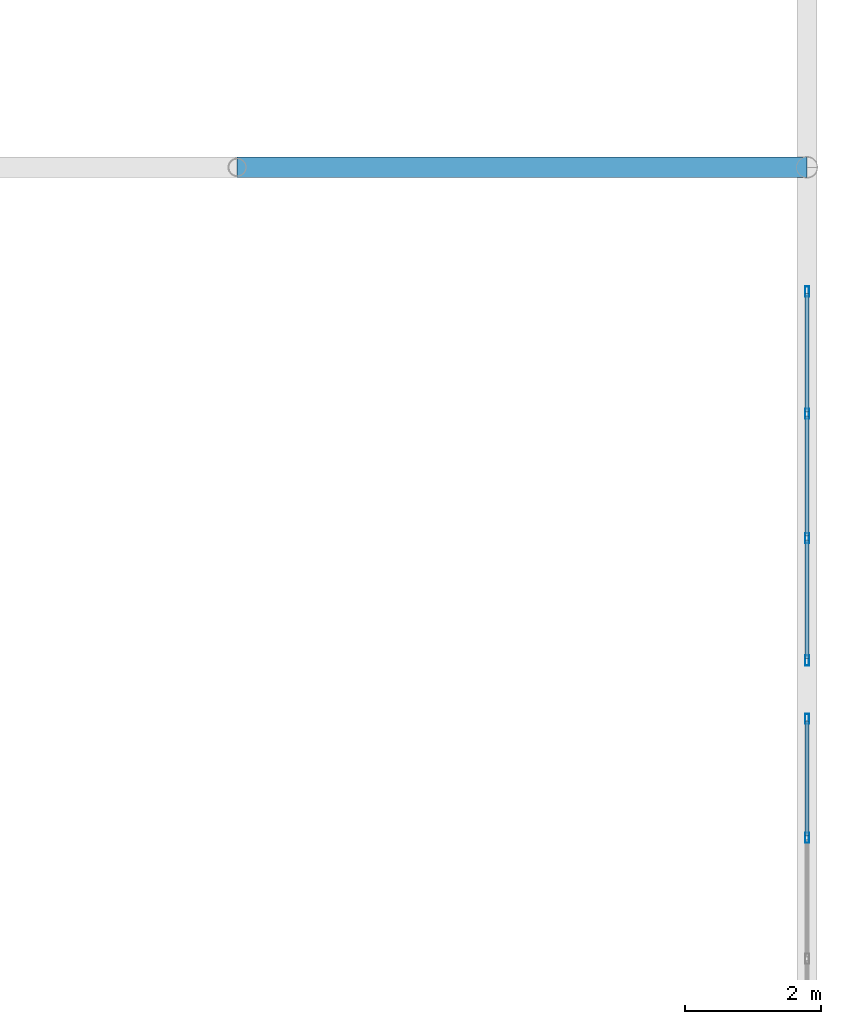
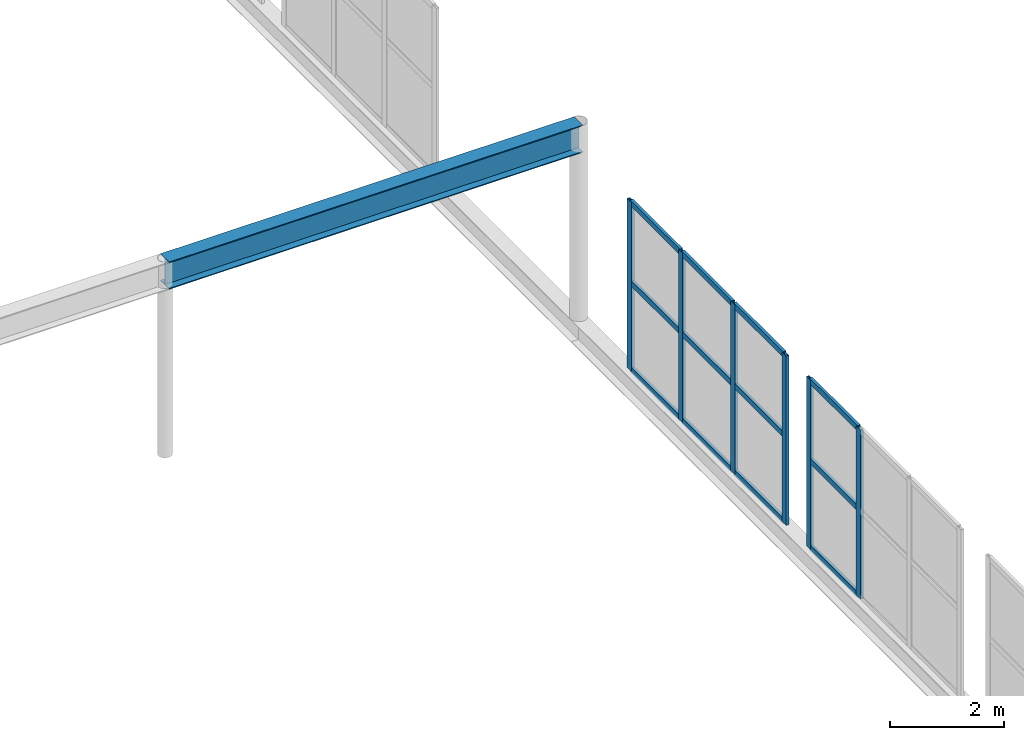
# One storey, part 156 of 218: 18 members, 1 beam, 2 elements without a shape of their own.
"""IFC4 building model written with IfcOpenShell, lengths in metres."""

from ifc_helpers import new_model, si_unit, direction, frame, origin, origin_2d, place, context, subcontext, project, spatial, hollow_rectangle, i_section, extrude, material, material_profile, profile_set, type_object, element, aggregate, save


model = new_model("IFC4")

# Units and contexts
model_context = context("Model", 3, precision=1e-05, world=origin(), true_north=direction((0.0, 1.0)))
body_context = subcontext(model_context, "Body", "Model", "MODEL_VIEW")
ifc_project = project(units=[si_unit("LENGTHUNIT", "METRE"), si_unit("AREAUNIT", "SQUARE_METRE"), si_unit("VOLUMEUNIT", "CUBIC_METRE"), si_unit("PLANEANGLEUNIT", "RADIAN"), si_unit("MASSUNIT", "GRAM", prefix="KILO")], contexts=[model_context])

# Site, building, storey
site_placement = place(None, origin())
site = spatial("IfcSite", under=ifc_project, at=site_placement, CompositionType="ELEMENT")
building_placement = place(site_placement, origin())
building = spatial("IfcBuilding", under=site, at=building_placement, Name="Kazenagashi Tramway Depot", CompositionType="ELEMENT")
storey_placement = place(building_placement, frame((0.0, 0.0, 6.0)))
storey = spatial("IfcBuildingStorey", under=building, at=storey_placement, Name="L02", CompositionType="ELEMENT", Elevation=6.0)

# Curtain wall, members
ifc_material_1 = material(Name="Anodised Aluminium and Low-E Glazing", Category="aluminium")
curtain_wall_type_1 = type_object("IfcCurtainWallType", Name="CW-06", PredefinedType="USERDEFINED", material=ifc_material_1)
curtain_wall_1_placement = place(storey_placement, origin())
curtain_wall_1 = element("IfcCurtainWall", 1, at=curtain_wall_1_placement, inside=storey, type_object=curtain_wall_type_1, Name="Industrial Glazed Screen CW-06 CW-0006", ObjectType="GLAZED SCREEN", PredefinedType="USERDEFINED")
ifc_material_2 = material(Name="Anodised Aluminium", Category="aluminium")
ifc_material_profile_1 = material_profile(ifc_material_2, hollow_rectangle(XDim=0.06, YDim=0.15, WallThickness=0.004, at=origin_2d()), Name="RHS-150x60x4")
ifc_profile_set_1 = profile_set([ifc_material_profile_1], Name="Anodised Aluminium")
member_type_1 = type_object("IfcMemberType", Name="ML-01", PredefinedType="MULLION", material=ifc_profile_set_1)
member_1_placement = place(storey_placement, frame((196.0, 90.116667, -0.02), z_axis=(0.0, 0.0, 1.0), x_axis=(-1.0, 0.0, 0.0)))
member_1 = element("IfcMember", 2, at=member_1_placement, type_object=member_type_1, Name="CW-06 mullion 3", PredefinedType="MULLION", context=body_context, shape_type="SweptSolid", body=[
    extrude(hollow_rectangle(XDim=0.06, YDim=0.15, WallThickness=0.004, at=origin_2d()), origin(), (0.0, 0.0, 1.0), 3.632),
])
member_2_placement = place(storey_placement, frame((196.0, 91.87, -0.02), z_axis=(0.0, 0.0, 1.0), x_axis=(-1.0, 0.0, 0.0)))
member_2 = element("IfcMember", 3, at=member_2_placement, type_object=member_type_1, Name="CW-06 mullion 4", PredefinedType="MULLION", context=body_context, shape_type="SweptSolid", body=[
    extrude(hollow_rectangle(XDim=0.06, YDim=0.15, WallThickness=0.004, at=origin_2d()), origin(), (0.0, 0.0, 1.0), 3.632),
])

curtain_wall_type_2 = type_object("IfcCurtainWallType", Name="CW-08", PredefinedType="USERDEFINED", material=ifc_material_1)
curtain_wall_2_placement = place(storey_placement, origin())
curtain_wall_2 = element("IfcCurtainWall", 4, at=curtain_wall_2_placement, inside=storey, type_object=curtain_wall_type_2, Name="Industrial Glazed Screen CW-08 CW-0008", ObjectType="GLAZED SCREEN", PredefinedType="USERDEFINED")
member_3_placement = place(storey_placement, frame((196.0, 92.73, -0.02), z_axis=(0.0, 0.0, 1.0), x_axis=(-1.0, 0.0, 0.0)))
member_3 = element("IfcMember", 5, at=member_3_placement, type_object=member_type_1, Name="CW-08 mullion 1", PredefinedType="MULLION", context=body_context, shape_type="SweptSolid", body=[
    extrude(hollow_rectangle(XDim=0.06, YDim=0.15, WallThickness=0.004, at=origin_2d()), origin(), (0.0, 0.0, 1.0), 3.632),
])
member_4_placement = place(storey_placement, frame((196.0, 94.533333, -0.02), z_axis=(0.0, 0.0, 1.0), x_axis=(-1.0, 0.0, 0.0)))
member_4 = element("IfcMember", 6, at=member_4_placement, type_object=member_type_1, Name="CW-08 mullion 2", PredefinedType="MULLION", context=body_context, shape_type="SweptSolid", body=[
    extrude(hollow_rectangle(XDim=0.06, YDim=0.15, WallThickness=0.004, at=origin_2d()), origin(), (0.0, 0.0, 1.0), 3.632),
])
member_5_placement = place(storey_placement, frame((196.0, 96.366667, -0.02), z_axis=(0.0, 0.0, 1.0), x_axis=(-1.0, 0.0, 0.0)))
member_5 = element("IfcMember", 7, at=member_5_placement, type_object=member_type_1, Name="CW-08 mullion 3", PredefinedType="MULLION", context=body_context, shape_type="SweptSolid", body=[
    extrude(hollow_rectangle(XDim=0.06, YDim=0.15, WallThickness=0.004, at=origin_2d()), origin(), (0.0, 0.0, 1.0), 3.632),
])
member_6_placement = place(storey_placement, frame((196.0, 98.17, -0.02), z_axis=(0.0, 0.0, 1.0), x_axis=(-1.0, 0.0, 0.0)))
member_6 = element("IfcMember", 8, at=member_6_placement, type_object=member_type_1, Name="CW-08 mullion 4", PredefinedType="MULLION", context=body_context, shape_type="SweptSolid", body=[
    extrude(hollow_rectangle(XDim=0.06, YDim=0.15, WallThickness=0.004, at=origin_2d()), origin(), (0.0, 0.0, 1.0), 3.632),
])

# Beam
ifc_material_3 = material(Name="Steel SN490B", Category="steel")
ifc_material_profile_2 = material_profile(ifc_material_3, i_section(OverallWidth=0.3, OverallDepth=0.588, WebThickness=0.012, FlangeThickness=0.02, at=origin_2d()), Name="H-588x300x12x20")
ifc_profile_set_2 = profile_set([ifc_material_profile_2], Name="Steel SN490B")
beam_type = type_object("IfcBeamType", Name="SP-01", PredefinedType="SPANDREL", material=ifc_profile_set_2)
beam_placement = place(storey_placement, frame((187.6, 100.0, 3.906), z_axis=(1.0, 0.0, 0.0), x_axis=(0.0, 1.0, 0.0)))
element("IfcBeam", 9, at=beam_placement, inside=storey, type_object=beam_type, Name="Beam SP-01 BM-1879", PredefinedType="SPANDREL", context=body_context, shape_type="SweptSolid", body=[
    extrude(i_section(OverallWidth=0.3, OverallDepth=0.588, WebThickness=0.012, FlangeThickness=0.02, at=origin_2d()), origin(), (0.0, 0.0, 1.0), 8.4),
])

# Member
ifc_material_profile_3 = material_profile(ifc_material_2, hollow_rectangle(XDim=0.06, YDim=0.12, WallThickness=0.004, at=origin_2d()), Name="RHS-120x60x4")
ifc_profile_set_3 = profile_set([ifc_material_profile_3], Name="Anodised Aluminium")
member_type_2 = type_object("IfcMemberType", Name="TR-01", PredefinedType="USERDEFINED", material=ifc_profile_set_3)
member_7_placement = place(storey_placement, frame((196.0, 90.146667, 0.01), z_axis=(0.0, 1.0, 0.0), x_axis=(-1.0, 0.0, 0.0)))
member_7 = element("IfcMember", 10, at=member_7_placement, type_object=member_type_2, Name="CW-06 transom 3.1", ObjectType="TRANSOM", PredefinedType="USERDEFINED", context=body_context, shape_type="SweptSolid", body=[
    extrude(hollow_rectangle(XDim=0.06, YDim=0.12, WallThickness=0.004, at=origin_2d()), origin(), (0.0, 0.0, 1.0), 1.693333),
])

member_8_placement = place(storey_placement, frame((196.0, 90.146667, 1.869), z_axis=(0.0, 1.0, 0.0), x_axis=(-1.0, 0.0, 0.0)))
member_8 = element("IfcMember", 11, at=member_8_placement, type_object=member_type_2, Name="CW-06 transom 3.2", ObjectType="TRANSOM", PredefinedType="USERDEFINED", context=body_context, shape_type="SweptSolid", body=[
    extrude(hollow_rectangle(XDim=0.06, YDim=0.12, WallThickness=0.004, at=origin_2d()), origin(), (0.0, 0.0, 1.0), 1.693333),
])

member_9_placement = place(storey_placement, frame((196.0, 90.146667, 3.582), z_axis=(0.0, 1.0, 0.0), x_axis=(-1.0, 0.0, 0.0)))
member_9 = element("IfcMember", 12, at=member_9_placement, type_object=member_type_2, Name="CW-06 transom 3.3", ObjectType="TRANSOM", PredefinedType="USERDEFINED", context=body_context, shape_type="SweptSolid", body=[
    extrude(hollow_rectangle(XDim=0.06, YDim=0.12, WallThickness=0.004, at=origin_2d()), origin(), (0.0, 0.0, 1.0), 1.693333),
])

aggregate(curtain_wall_1, [member_1, member_2, member_7, member_8, member_9])

member_10_placement = place(storey_placement, frame((196.0, 92.76, 0.01), z_axis=(0.0, 1.0, 0.0), x_axis=(-1.0, 0.0, 0.0)))
member_10 = element("IfcMember", 13, at=member_10_placement, type_object=member_type_2, Name="CW-08 transom 1.1", ObjectType="TRANSOM", PredefinedType="USERDEFINED", context=body_context, shape_type="SweptSolid", body=[
    extrude(hollow_rectangle(XDim=0.06, YDim=0.12, WallThickness=0.004, at=origin_2d()), origin(), (0.0, 0.0, 1.0), 1.743333),
])

member_11_placement = place(storey_placement, frame((196.0, 92.76, 1.869), z_axis=(0.0, 1.0, 0.0), x_axis=(-1.0, 0.0, 0.0)))
member_11 = element("IfcMember", 14, at=member_11_placement, type_object=member_type_2, Name="CW-08 transom 1.2", ObjectType="TRANSOM", PredefinedType="USERDEFINED", context=body_context, shape_type="SweptSolid", body=[
    extrude(hollow_rectangle(XDim=0.06, YDim=0.12, WallThickness=0.004, at=origin_2d()), origin(), (0.0, 0.0, 1.0), 1.743333),
])

member_12_placement = place(storey_placement, frame((196.0, 92.76, 3.582), z_axis=(0.0, 1.0, 0.0), x_axis=(-1.0, 0.0, 0.0)))
member_12 = element("IfcMember", 15, at=member_12_placement, type_object=member_type_2, Name="CW-08 transom 1.3", ObjectType="TRANSOM", PredefinedType="USERDEFINED", context=body_context, shape_type="SweptSolid", body=[
    extrude(hollow_rectangle(XDim=0.06, YDim=0.12, WallThickness=0.004, at=origin_2d()), origin(), (0.0, 0.0, 1.0), 1.743333),
])

member_13_placement = place(storey_placement, frame((196.0, 94.563333, 0.01), z_axis=(0.0, 1.0, 0.0), x_axis=(-1.0, 0.0, 0.0)))
member_13 = element("IfcMember", 16, at=member_13_placement, type_object=member_type_2, Name="CW-08 transom 2.1", ObjectType="TRANSOM", PredefinedType="USERDEFINED", context=body_context, shape_type="SweptSolid", body=[
    extrude(hollow_rectangle(XDim=0.06, YDim=0.12, WallThickness=0.004, at=origin_2d()), origin(), (0.0, 0.0, 1.0), 1.773334),
])

member_14_placement = place(storey_placement, frame((196.0, 94.563333, 1.869), z_axis=(0.0, 1.0, 0.0), x_axis=(-1.0, 0.0, 0.0)))
member_14 = element("IfcMember", 17, at=member_14_placement, type_object=member_type_2, Name="CW-08 transom 2.2", ObjectType="TRANSOM", PredefinedType="USERDEFINED", context=body_context, shape_type="SweptSolid", body=[
    extrude(hollow_rectangle(XDim=0.06, YDim=0.12, WallThickness=0.004, at=origin_2d()), origin(), (0.0, 0.0, 1.0), 1.773334),
])

member_15_placement = place(storey_placement, frame((196.0, 94.563333, 3.582), z_axis=(0.0, 1.0, 0.0), x_axis=(-1.0, 0.0, 0.0)))
member_15 = element("IfcMember", 18, at=member_15_placement, type_object=member_type_2, Name="CW-08 transom 2.3", ObjectType="TRANSOM", PredefinedType="USERDEFINED", context=body_context, shape_type="SweptSolid", body=[
    extrude(hollow_rectangle(XDim=0.06, YDim=0.12, WallThickness=0.004, at=origin_2d()), origin(), (0.0, 0.0, 1.0), 1.773334),
])

member_16_placement = place(storey_placement, frame((196.0, 96.396667, 0.01), z_axis=(0.0, 1.0, 0.0), x_axis=(-1.0, 0.0, 0.0)))
member_16 = element("IfcMember", 19, at=member_16_placement, type_object=member_type_2, Name="CW-08 transom 3.1", ObjectType="TRANSOM", PredefinedType="USERDEFINED", context=body_context, shape_type="SweptSolid", body=[
    extrude(hollow_rectangle(XDim=0.06, YDim=0.12, WallThickness=0.004, at=origin_2d()), origin(), (0.0, 0.0, 1.0), 1.743333),
])

member_17_placement = place(storey_placement, frame((196.0, 96.396667, 1.869), z_axis=(0.0, 1.0, 0.0), x_axis=(-1.0, 0.0, 0.0)))
member_17 = element("IfcMember", 20, at=member_17_placement, type_object=member_type_2, Name="CW-08 transom 3.2", ObjectType="TRANSOM", PredefinedType="USERDEFINED", context=body_context, shape_type="SweptSolid", body=[
    extrude(hollow_rectangle(XDim=0.06, YDim=0.12, WallThickness=0.004, at=origin_2d()), origin(), (0.0, 0.0, 1.0), 1.743333),
])

member_18_placement = place(storey_placement, frame((196.0, 96.396667, 3.582), z_axis=(0.0, 1.0, 0.0), x_axis=(-1.0, 0.0, 0.0)))
member_18 = element("IfcMember", 21, at=member_18_placement, type_object=member_type_2, Name="CW-08 transom 3.3", ObjectType="TRANSOM", PredefinedType="USERDEFINED", context=body_context, shape_type="SweptSolid", body=[
    extrude(hollow_rectangle(XDim=0.06, YDim=0.12, WallThickness=0.004, at=origin_2d()), origin(), (0.0, 0.0, 1.0), 1.743333),
])

aggregate(curtain_wall_2, [member_3, member_4, member_5, member_6, member_10, member_11, member_12, member_13, member_14, member_15, member_16, member_17, member_18])

save(model, "model.ifc")
